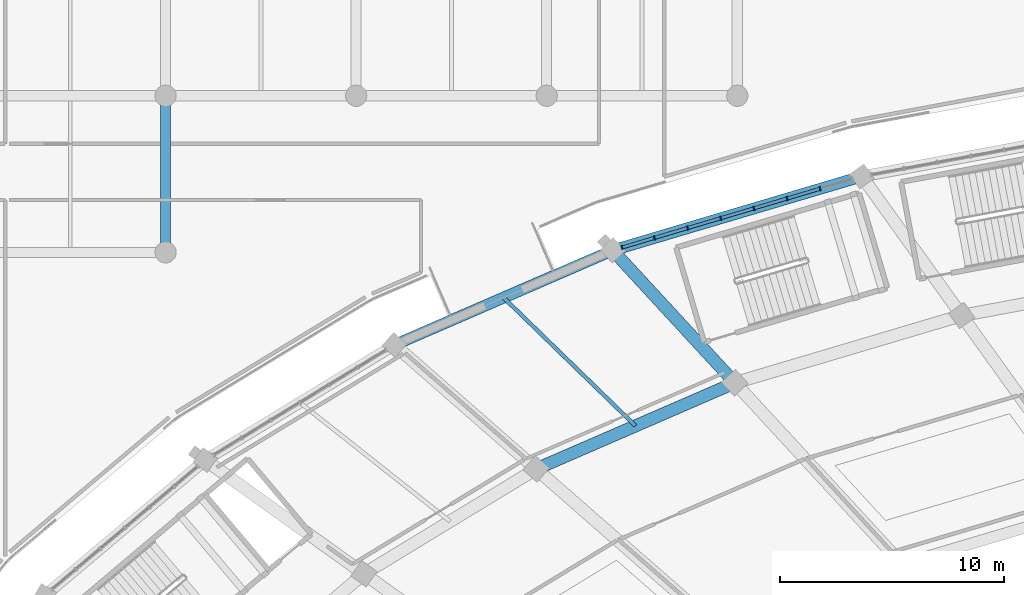
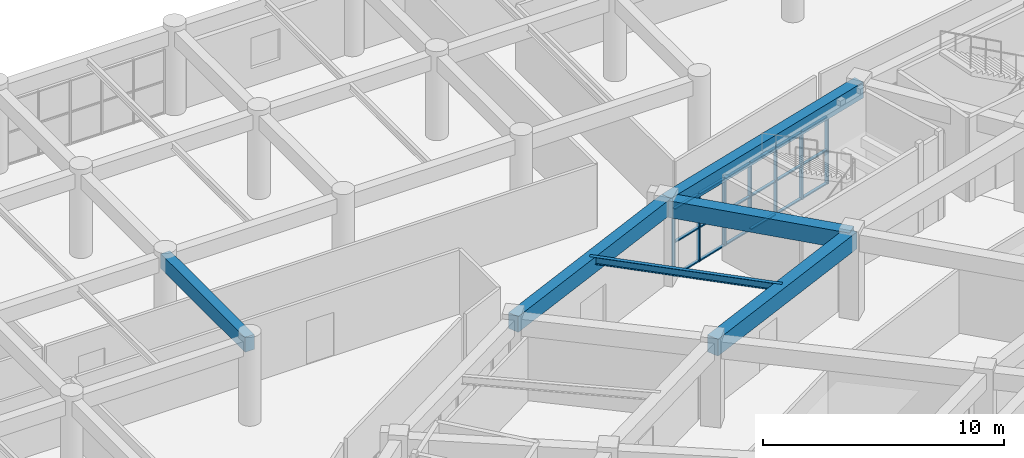
# One storey, part 59 of 145: 25 members, 6 beams, 1 element without a shape of its own.
"""IFC4 building model written with IfcOpenShell, lengths in metres."""

from ifc_helpers import new_model, si_unit, direction, frame, origin, origin_2d, place, context, subcontext, project, spatial, rectangle, i_section, extrude, material, layer, layer_set, material_profile, profile_set, type_object, element, aggregate, save


model = new_model("IFC4")

# Units and contexts
model_context = context("Model", 3, precision=1e-05, world=origin(), true_north=direction((0.0, 1.0)))
body_context = subcontext(model_context, "Body", "Model", "MODEL_VIEW")
ifc_project = project(units=[si_unit("LENGTHUNIT", "METRE"), si_unit("AREAUNIT", "SQUARE_METRE"), si_unit("VOLUMEUNIT", "CUBIC_METRE"), si_unit("PLANEANGLEUNIT", "RADIAN"), si_unit("MASSUNIT", "GRAM", prefix="KILO")], contexts=[model_context])

# Site, building, storey
site_placement = place(None, origin())
site = spatial("IfcSite", under=ifc_project, at=site_placement, CompositionType="ELEMENT")
building_placement = place(site_placement, origin())
building = spatial("IfcBuilding", under=site, at=building_placement, Name="Mphavela Belvedere Stadium", CompositionType="ELEMENT")
storey_placement = place(building_placement, frame((0.0, 0.0, 10.199951171875)))
storey = spatial("IfcBuildingStorey", under=building, at=storey_placement, Name="L02", CompositionType="ELEMENT", Elevation=10.199951171875)

# Beams
ifc_material_1 = material(Name="Steel S355", Category="steel")
ifc_material_profile_1 = material_profile(ifc_material_1, i_section(OverallWidth=0.169921875, OverallDepth=0.360107421875, WebThickness=0.008056640625, FlangeThickness=0.0126953125, at=origin_2d()), Name="IPE 360")
ifc_profile_set_1 = profile_set([ifc_material_profile_1], Name="Steel S355")
beam_type_1 = type_object("IfcBeamType", Name="BM-JOIST-IPE360", PredefinedType="JOIST", material=ifc_profile_set_1)
beam_1_placement = place(storey_placement, frame((55.081787109375, 145.242431640625, 4.070068359375), z_axis=(-0.717067022089, 0.697004222249, 0.0), x_axis=(-0.697004222249, -0.717067022089, 0.0)))
element("IfcBeam", 1, at=beam_1_placement, inside=storey, type_object=beam_type_1, Name="Concourse floor joist L02-17", PredefinedType="JOIST", context=body_context, shape_type="SweptSolid", body=[
    extrude(i_section(OverallWidth=0.169921875, OverallDepth=0.360107421875, WebThickness=0.008056640625, FlangeThickness=0.0126953125, at=origin_2d()), origin(), (0.0, 0.0, 1.0), 8.22607421875),
])
ifc_material_2 = material(Name="Concrete C40/50", Category="concrete")
ifc_material_profile_2 = material_profile(ifc_material_2, rectangle(XDim=0.449951171875, YDim=0.75, at=origin_2d()), Name="RC 450x750")
ifc_profile_set_2 = profile_set([ifc_material_profile_2], Name="Concrete C40/50")
beam_type_2 = type_object("IfcBeamType", Name="BM-RC450x750", PredefinedType="BEAM", material=ifc_profile_set_2)
beam_2_placement = place(storey_placement, frame((34.073974609375, 153.0, 3.864990234375), z_axis=(0.0, 1.0, 0.0), x_axis=(-1.0, 0.0, 0.0)))
element("IfcBeam", 2, at=beam_2_placement, inside=storey, type_object=beam_type_2, Name="North Mast and Ceremonial End Forecourt entablature beam Y L02 5-5", PredefinedType="BEAM", context=body_context, shape_type="SweptSolid", body=[
    extrude(rectangle(XDim=0.449951171875, YDim=0.75, at=origin_2d()), origin(), (0.0, 0.0, 1.0), 7.0),
])
ifc_material_3 = material(Name="Concrete C40/50", Category="concrete")
ifc_material_profile_3 = material_profile(ifc_material_3, rectangle(XDim=0.550048828125, YDim=0.85009765625, at=origin_2d()), Name="RC 550x850")
ifc_profile_set_3 = profile_set([ifc_material_profile_3], Name="Concrete C40/50")
beam_type_3 = type_object("IfcBeamType", Name="BM-RC550x850", PredefinedType="BEAM", material=ifc_profile_set_3)
beam_3_placement = place(storey_placement, frame((59.523681640625, 147.16796875, 3.824951171875), z_axis=(-0.917501650019, -0.397731972832, 0.0), x_axis=(0.397731972832, -0.917501650019, 0.0)))
element("IfcBeam", 3, at=beam_3_placement, inside=storey, type_object=beam_type_3, Name="Circumferential girder L02 R3-17", PredefinedType="BEAM", context=body_context, shape_type="SweptSolid", body=[
    extrude(rectangle(XDim=0.550048828125, YDim=0.85009765625, at=origin_2d()), origin(), (0.0, 0.0, 1.0), 9.6826171875),
])
beam_4_placement = place(storey_placement, frame((59.523681640625, 147.16796875, 3.824951171875), z_axis=(-0.67784325477, 0.735206448532, 0.0), x_axis=(-0.735206448532, -0.67784325477, 0.0)))
element("IfcBeam", 4, at=beam_4_placement, inside=storey, type_object=beam_type_3, Name="Radial concourse girder L02 R3R4-17", PredefinedType="BEAM", context=body_context, shape_type="SweptSolid", body=[
    extrude(rectangle(XDim=0.550048828125, YDim=0.85009765625, at=origin_2d()), origin(), (0.0, 0.0, 1.0), 8.056640625),
])
ifc_material_4 = material(Name="Concrete C40/50", Category="concrete")
ifc_material_profile_4 = material_profile(ifc_material_4, rectangle(XDim=0.5, YDim=0.800048828125, at=origin_2d()), Name="RC 500x800")
ifc_profile_set_4 = profile_set([ifc_material_profile_4], Name="Concrete C40/50")
beam_type_4 = type_object("IfcBeamType", Name="BM-SPANDREL-800", PredefinedType="SPANDREL", material=ifc_profile_set_4)
beam_5_placement = place(storey_placement, frame((65.19873046875, 156.39697265625, 3.85009765625), z_axis=(-0.958656362639, -0.284566298727, 0.0), x_axis=(0.284566298727, -0.958656362639, 0.0)))
element("IfcBeam", 5, at=beam_5_placement, inside=storey, type_object=beam_type_4, Name="Circumferential girder L02 R4-16", PredefinedType="SPANDREL", context=body_context, shape_type="SweptSolid", body=[
    extrude(rectangle(XDim=0.5, YDim=0.800048828125, at=origin_2d()), origin(), (0.0, 0.0, 1.0), 11.616455078125),
])
beam_6_placement = place(storey_placement, frame((54.0625, 153.09130859375, 3.85009765625), z_axis=(-0.91749867224, -0.397738842004, 0.0), x_axis=(0.397738842004, -0.91749867224, 0.0)))
element("IfcBeam", 6, at=beam_6_placement, inside=storey, type_object=beam_type_4, Name="Circumferential girder L02 R4-17", PredefinedType="SPANDREL", context=body_context, shape_type="SweptSolid", body=[
    extrude(rectangle(XDim=0.5, YDim=0.800048828125, at=origin_2d()), origin(), (0.0, 0.0, 1.0), 10.63623046875),
])

# Curtain wall, members
ifc_material_5 = material(Name="Anodised bronze unitised curtain wall framing")
ifc_layer = layer(ifc_material_5, 0.195068359375)
ifc_layer_set = layer_set([ifc_layer], Name="Anodised bronze unitised curtain wall framing")
curtain_wall_type = type_object("IfcCurtainWallType", Name="CW-UNIT-04", PredefinedType="USERDEFINED", material=ifc_layer_set)
curtain_wall_placement = place(storey_placement, origin())
curtain_wall = element("IfcCurtainWall", 7, at=curtain_wall_placement, inside=storey, type_object=curtain_wall_type, Name="Belvedere colonnade curtain wall L02-16", ObjectType="UNITISED CURTAIN WALL", PredefinedType="USERDEFINED")
ifc_material_6 = material(Name="Anodised bronze extruded aluminium", Category="aluminium")
ifc_material_profile_5 = material_profile(ifc_material_6, rectangle(XDim=0.179931640625, YDim=0.06494140625, at=origin_2d()), Name="CW-MUL 180x65")
ifc_profile_set_5 = profile_set([ifc_material_profile_5], Name="Anodised bronze extruded aluminium")
member_type_1 = type_object("IfcMemberType", Name="CWM-180x65", PredefinedType="MULLION", material=ifc_profile_set_5)
member_1_placement = place(storey_placement, frame((63.33544921875, 155.84375, 0.0), z_axis=(0.0, 0.0, 1.0), x_axis=(0.284547064542, -0.95866207188, 0.0)))
member_1 = element("IfcMember", 8, at=member_1_placement, type_object=member_type_1, Name="CW-04 mullion 2", PredefinedType="MULLION", context=body_context, shape_type="SweptSolid", body=[
    extrude(rectangle(XDim=0.179931640625, YDim=0.06494140625, at=origin_2d()), origin(), (0.0, 0.0, 1.0), 3.420166015625),
])
member_2_placement = place(storey_placement, frame((61.853515625, 155.40380859375, 0.0), z_axis=(0.0, 0.0, 1.0), x_axis=(0.284547064542, -0.95866207188, 0.0)))
member_2 = element("IfcMember", 9, at=member_2_placement, type_object=member_type_1, Name="CW-04 mullion 3", PredefinedType="MULLION", context=body_context, shape_type="SweptSolid", body=[
    extrude(rectangle(XDim=0.179931640625, YDim=0.06494140625, at=origin_2d()), origin(), (0.0, 0.0, 1.0), 3.420166015625),
])
member_3_placement = place(storey_placement, frame((60.37158203125, 154.964111328125, 0.0), z_axis=(0.0, 0.0, 1.0), x_axis=(0.284547064542, -0.95866207188, 0.0)))
member_3 = element("IfcMember", 10, at=member_3_placement, type_object=member_type_1, Name="CW-04 mullion 4", PredefinedType="MULLION", context=body_context, shape_type="SweptSolid", body=[
    extrude(rectangle(XDim=0.179931640625, YDim=0.06494140625, at=origin_2d()), origin(), (0.0, 0.0, 1.0), 3.420166015625),
])
member_4_placement = place(storey_placement, frame((58.8896484375, 154.524169921875, 0.0), z_axis=(0.0, 0.0, 1.0), x_axis=(0.284547064542, -0.95866207188, 0.0)))
member_4 = element("IfcMember", 11, at=member_4_placement, type_object=member_type_1, Name="CW-04 mullion 5", PredefinedType="MULLION", context=body_context, shape_type="SweptSolid", body=[
    extrude(rectangle(XDim=0.179931640625, YDim=0.06494140625, at=origin_2d()), origin(), (0.0, 0.0, 1.0), 3.420166015625),
])
member_5_placement = place(storey_placement, frame((57.40771484375, 154.084228515625, 0.0), z_axis=(0.0, 0.0, 1.0), x_axis=(0.284547064542, -0.95866207188, 0.0)))
member_5 = element("IfcMember", 12, at=member_5_placement, type_object=member_type_1, Name="CW-04 mullion 6", PredefinedType="MULLION", context=body_context, shape_type="SweptSolid", body=[
    extrude(rectangle(XDim=0.179931640625, YDim=0.06494140625, at=origin_2d()), origin(), (0.0, 0.0, 1.0), 3.420166015625),
])
member_6_placement = place(storey_placement, frame((55.92578125, 153.64453125, 0.0), z_axis=(0.0, 0.0, 1.0), x_axis=(0.284547064542, -0.95866207188, 0.0)))
member_6 = element("IfcMember", 13, at=member_6_placement, type_object=member_type_1, Name="CW-04 mullion 7", PredefinedType="MULLION", context=body_context, shape_type="SweptSolid", body=[
    extrude(rectangle(XDim=0.179931640625, YDim=0.06494140625, at=origin_2d()), origin(), (0.0, 0.0, 1.0), 3.420166015625),
])
member_7_placement = place(storey_placement, frame((54.47509765625, 153.2138671875, 0.0), z_axis=(0.0, 0.0, 1.0), x_axis=(0.284547064542, -0.95866207188, 0.0)))
member_7 = element("IfcMember", 14, at=member_7_placement, type_object=member_type_1, Name="CW-04 mullion 8", PredefinedType="MULLION", context=body_context, shape_type="SweptSolid", body=[
    extrude(rectangle(XDim=0.179931640625, YDim=0.06494140625, at=origin_2d()), origin(), (0.0, 0.0, 1.0), 3.420166015625),
])
ifc_material_7 = material(Name="Anodised bronze extruded aluminium", Category="aluminium")
ifc_material_profile_6 = material_profile(ifc_material_7, rectangle(XDim=0.139892578125, YDim=0.06005859375, at=origin_2d()), Name="CW-TRN 140x60")
ifc_profile_set_6 = profile_set([ifc_material_profile_6], Name="Anodised bronze extruded aluminium")
member_type_2 = type_object("IfcMemberType", Name="CWT-140x60", PredefinedType="USERDEFINED", material=ifc_profile_set_6)
member_8_placement = place(storey_placement, frame((63.30419921875, 155.83447265625, 0.030029296875), z_axis=(-0.958661623614, -0.284548574782, 0.0), x_axis=(0.284548574782, -0.958661623614, 0.0)))
member_8 = element("IfcMember", 15, at=member_8_placement, type_object=member_type_2, Name="CW-04 transom 2.1", ObjectType="TRANSOM", PredefinedType="USERDEFINED", context=body_context, shape_type="SweptSolid", body=[
    extrude(rectangle(XDim=0.139892578125, YDim=0.06005859375, at=origin_2d()), origin(), (0.0, 0.0, 1.0), 1.48095703125),
])
member_9_placement = place(storey_placement, frame((63.30419921875, 155.83447265625, 1.7099609375), z_axis=(-0.958661623614, -0.284548574782, 0.0), x_axis=(0.284548574782, -0.958661623614, 0.0)))
member_9 = element("IfcMember", 16, at=member_9_placement, type_object=member_type_2, Name="CW-04 transom 2.2", ObjectType="TRANSOM", PredefinedType="USERDEFINED", context=body_context, shape_type="SweptSolid", body=[
    extrude(rectangle(XDim=0.139892578125, YDim=0.06005859375, at=origin_2d()), origin(), (0.0, 0.0, 1.0), 1.48095703125),
])
member_10_placement = place(storey_placement, frame((63.30419921875, 155.83447265625, 3.39013671875), z_axis=(-0.958661623614, -0.284548574782, 0.0), x_axis=(0.284548574782, -0.958661623614, 0.0)))
member_10 = element("IfcMember", 17, at=member_10_placement, type_object=member_type_2, Name="CW-04 transom 2.3", ObjectType="TRANSOM", PredefinedType="USERDEFINED", context=body_context, shape_type="SweptSolid", body=[
    extrude(rectangle(XDim=0.139892578125, YDim=0.06005859375, at=origin_2d()), origin(), (0.0, 0.0, 1.0), 1.48095703125),
])
member_11_placement = place(storey_placement, frame((61.822265625, 155.39453125, 0.030029296875), z_axis=(-0.958693247298, -0.284442010937, 0.0), x_axis=(0.284442010937, -0.958693247298, 0.0)))
member_11 = element("IfcMember", 18, at=member_11_placement, type_object=member_type_2, Name="CW-04 transom 3.1", ObjectType="TRANSOM", PredefinedType="USERDEFINED", context=body_context, shape_type="SweptSolid", body=[
    extrude(rectangle(XDim=0.139892578125, YDim=0.06005859375, at=origin_2d()), origin(), (0.0, 0.0, 1.0), 1.480712890625),
])
member_12_placement = place(storey_placement, frame((61.822265625, 155.39453125, 1.7099609375), z_axis=(-0.958693247298, -0.284442010937, 0.0), x_axis=(0.284442010937, -0.958693247298, 0.0)))
member_12 = element("IfcMember", 19, at=member_12_placement, type_object=member_type_2, Name="CW-04 transom 3.2", ObjectType="TRANSOM", PredefinedType="USERDEFINED", context=body_context, shape_type="SweptSolid", body=[
    extrude(rectangle(XDim=0.139892578125, YDim=0.06005859375, at=origin_2d()), origin(), (0.0, 0.0, 1.0), 1.480712890625),
])
member_13_placement = place(storey_placement, frame((61.822265625, 155.39453125, 3.39013671875), z_axis=(-0.958693247298, -0.284442010937, 0.0), x_axis=(0.284442010937, -0.958693247298, 0.0)))
member_13 = element("IfcMember", 20, at=member_13_placement, type_object=member_type_2, Name="CW-04 transom 3.3", ObjectType="TRANSOM", PredefinedType="USERDEFINED", context=body_context, shape_type="SweptSolid", body=[
    extrude(rectangle(XDim=0.139892578125, YDim=0.06005859375, at=origin_2d()), origin(), (0.0, 0.0, 1.0), 1.480712890625),
])
member_14_placement = place(storey_placement, frame((60.34033203125, 154.954833984375, 0.030029296875), z_axis=(-0.958648272072, -0.284593553078, 0.0), x_axis=(0.284593553078, -0.958648272072, 0.0)))
member_14 = element("IfcMember", 21, at=member_14_placement, type_object=member_type_2, Name="CW-04 transom 4.1", ObjectType="TRANSOM", PredefinedType="USERDEFINED", context=body_context, shape_type="SweptSolid", body=[
    extrude(rectangle(XDim=0.139892578125, YDim=0.06005859375, at=origin_2d()), origin(), (0.0, 0.0, 1.0), 1.480712890625),
])
member_15_placement = place(storey_placement, frame((60.34033203125, 154.954833984375, 1.7099609375), z_axis=(-0.958648272072, -0.284593553078, 0.0), x_axis=(0.284593553078, -0.958648272072, 0.0)))
member_15 = element("IfcMember", 22, at=member_15_placement, type_object=member_type_2, Name="CW-04 transom 4.2", ObjectType="TRANSOM", PredefinedType="USERDEFINED", context=body_context, shape_type="SweptSolid", body=[
    extrude(rectangle(XDim=0.139892578125, YDim=0.06005859375, at=origin_2d()), origin(), (0.0, 0.0, 1.0), 1.480712890625),
])
member_16_placement = place(storey_placement, frame((60.34033203125, 154.954833984375, 3.39013671875), z_axis=(-0.958648272072, -0.284593553078, 0.0), x_axis=(0.284593553078, -0.958648272072, 0.0)))
member_16 = element("IfcMember", 23, at=member_16_placement, type_object=member_type_2, Name="CW-04 transom 4.3", ObjectType="TRANSOM", PredefinedType="USERDEFINED", context=body_context, shape_type="SweptSolid", body=[
    extrude(rectangle(XDim=0.139892578125, YDim=0.06005859375, at=origin_2d()), origin(), (0.0, 0.0, 1.0), 1.480712890625),
])
member_17_placement = place(storey_placement, frame((58.8583984375, 154.514892578125, 0.030029296875), z_axis=(-0.958648272072, -0.284593553078, 0.0), x_axis=(0.284593553078, -0.958648272072, 0.0)))
member_17 = element("IfcMember", 24, at=member_17_placement, type_object=member_type_2, Name="CW-04 transom 5.1", ObjectType="TRANSOM", PredefinedType="USERDEFINED", context=body_context, shape_type="SweptSolid", body=[
    extrude(rectangle(XDim=0.139892578125, YDim=0.06005859375, at=origin_2d()), origin(), (0.0, 0.0, 1.0), 1.480712890625),
])
member_18_placement = place(storey_placement, frame((58.8583984375, 154.514892578125, 1.7099609375), z_axis=(-0.958648272072, -0.284593553078, 0.0), x_axis=(0.284593553078, -0.958648272072, 0.0)))
member_18 = element("IfcMember", 25, at=member_18_placement, type_object=member_type_2, Name="CW-04 transom 5.2", ObjectType="TRANSOM", PredefinedType="USERDEFINED", context=body_context, shape_type="SweptSolid", body=[
    extrude(rectangle(XDim=0.139892578125, YDim=0.06005859375, at=origin_2d()), origin(), (0.0, 0.0, 1.0), 1.480712890625),
])
member_19_placement = place(storey_placement, frame((58.8583984375, 154.514892578125, 3.39013671875), z_axis=(-0.958648272072, -0.284593553078, 0.0), x_axis=(0.284593553078, -0.958648272072, 0.0)))
member_19 = element("IfcMember", 26, at=member_19_placement, type_object=member_type_2, Name="CW-04 transom 5.3", ObjectType="TRANSOM", PredefinedType="USERDEFINED", context=body_context, shape_type="SweptSolid", body=[
    extrude(rectangle(XDim=0.139892578125, YDim=0.06005859375, at=origin_2d()), origin(), (0.0, 0.0, 1.0), 1.480712890625),
])
member_20_placement = place(storey_placement, frame((57.37646484375, 154.074951171875, 0.030029296875), z_axis=(-0.958693247298, -0.284442010937, 0.0), x_axis=(0.284442010937, -0.958693247298, 0.0)))
member_20 = element("IfcMember", 27, at=member_20_placement, type_object=member_type_2, Name="CW-04 transom 6.1", ObjectType="TRANSOM", PredefinedType="USERDEFINED", context=body_context, shape_type="SweptSolid", body=[
    extrude(rectangle(XDim=0.139892578125, YDim=0.06005859375, at=origin_2d()), origin(), (0.0, 0.0, 1.0), 1.480712890625),
])
member_21_placement = place(storey_placement, frame((57.37646484375, 154.074951171875, 1.7099609375), z_axis=(-0.958693247298, -0.284442010937, 0.0), x_axis=(0.284442010937, -0.958693247298, 0.0)))
member_21 = element("IfcMember", 28, at=member_21_placement, type_object=member_type_2, Name="CW-04 transom 6.2", ObjectType="TRANSOM", PredefinedType="USERDEFINED", context=body_context, shape_type="SweptSolid", body=[
    extrude(rectangle(XDim=0.139892578125, YDim=0.06005859375, at=origin_2d()), origin(), (0.0, 0.0, 1.0), 1.480712890625),
])
member_22_placement = place(storey_placement, frame((57.37646484375, 154.074951171875, 3.39013671875), z_axis=(-0.958693247298, -0.284442010937, 0.0), x_axis=(0.284442010937, -0.958693247298, 0.0)))
member_22 = element("IfcMember", 29, at=member_22_placement, type_object=member_type_2, Name="CW-04 transom 6.3", ObjectType="TRANSOM", PredefinedType="USERDEFINED", context=body_context, shape_type="SweptSolid", body=[
    extrude(rectangle(XDim=0.139892578125, YDim=0.06005859375, at=origin_2d()), origin(), (0.0, 0.0, 1.0), 1.480712890625),
])
member_23_placement = place(storey_placement, frame((55.894775390625, 153.63525390625, 0.030029296875), z_axis=(-0.958675601144, -0.284501479383, 0.0), x_axis=(0.284501479383, -0.958675601144, 0.0)))
member_23 = element("IfcMember", 30, at=member_23_placement, type_object=member_type_2, Name="CW-04 transom 7.1", ObjectType="TRANSOM", PredefinedType="USERDEFINED", context=body_context, shape_type="SweptSolid", body=[
    extrude(rectangle(XDim=0.139892578125, YDim=0.06005859375, at=origin_2d()), origin(), (0.0, 0.0, 1.0), 1.448486328125),
])
member_24_placement = place(storey_placement, frame((55.894775390625, 153.63525390625, 1.7099609375), z_axis=(-0.958675601144, -0.284501479383, 0.0), x_axis=(0.284501479383, -0.958675601144, 0.0)))
member_24 = element("IfcMember", 31, at=member_24_placement, type_object=member_type_2, Name="CW-04 transom 7.2", ObjectType="TRANSOM", PredefinedType="USERDEFINED", context=body_context, shape_type="SweptSolid", body=[
    extrude(rectangle(XDim=0.139892578125, YDim=0.06005859375, at=origin_2d()), origin(), (0.0, 0.0, 1.0), 1.448486328125),
])
member_25_placement = place(storey_placement, frame((55.894775390625, 153.63525390625, 3.39013671875), z_axis=(-0.958675601144, -0.284501479383, 0.0), x_axis=(0.284501479383, -0.958675601144, 0.0)))
member_25 = element("IfcMember", 32, at=member_25_placement, type_object=member_type_2, Name="CW-04 transom 7.3", ObjectType="TRANSOM", PredefinedType="USERDEFINED", context=body_context, shape_type="SweptSolid", body=[
    extrude(rectangle(XDim=0.139892578125, YDim=0.06005859375, at=origin_2d()), origin(), (0.0, 0.0, 1.0), 1.448486328125),
])
aggregate(curtain_wall, [member_1, member_2, member_3, member_4, member_5, member_6, member_7, member_8, member_9, member_10, member_11, member_12, member_13, member_14, member_15, member_16, member_17, member_18, member_19, member_20, member_21, member_22, member_23, member_24, member_25])

save(model, "model.ifc")
